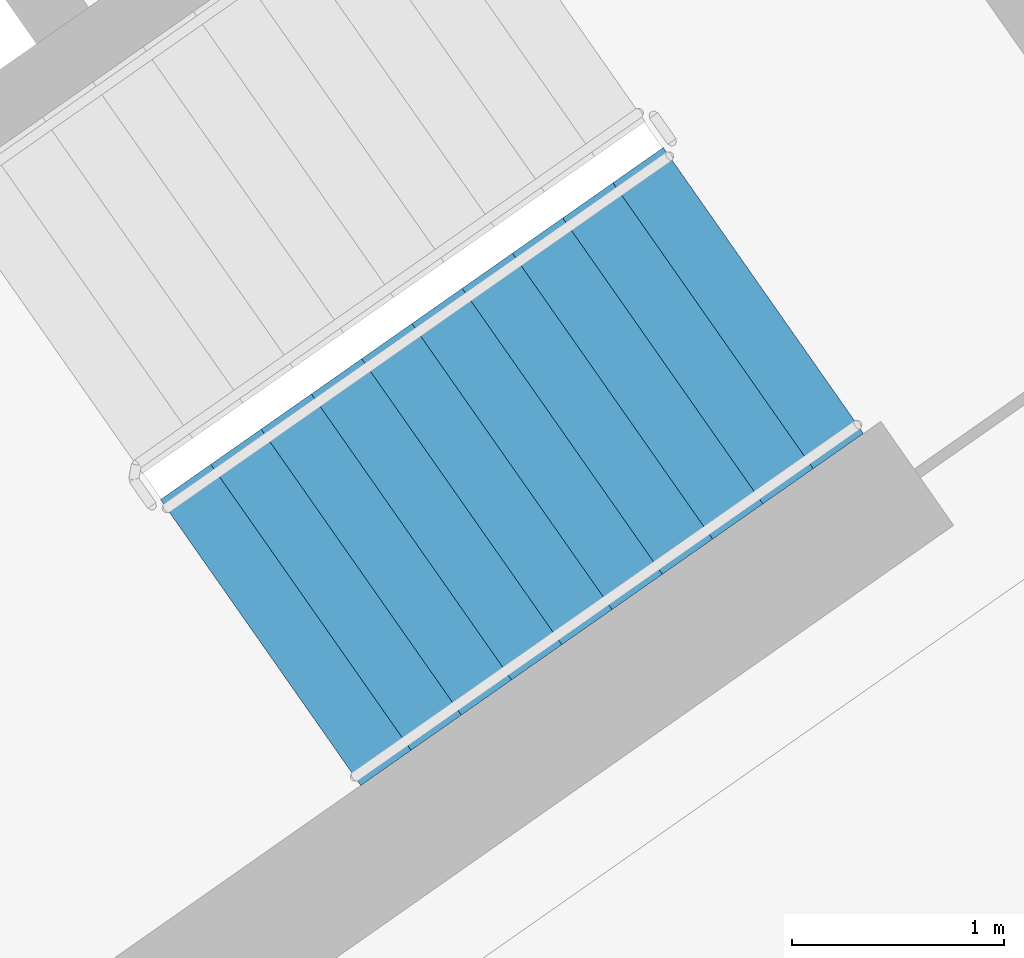
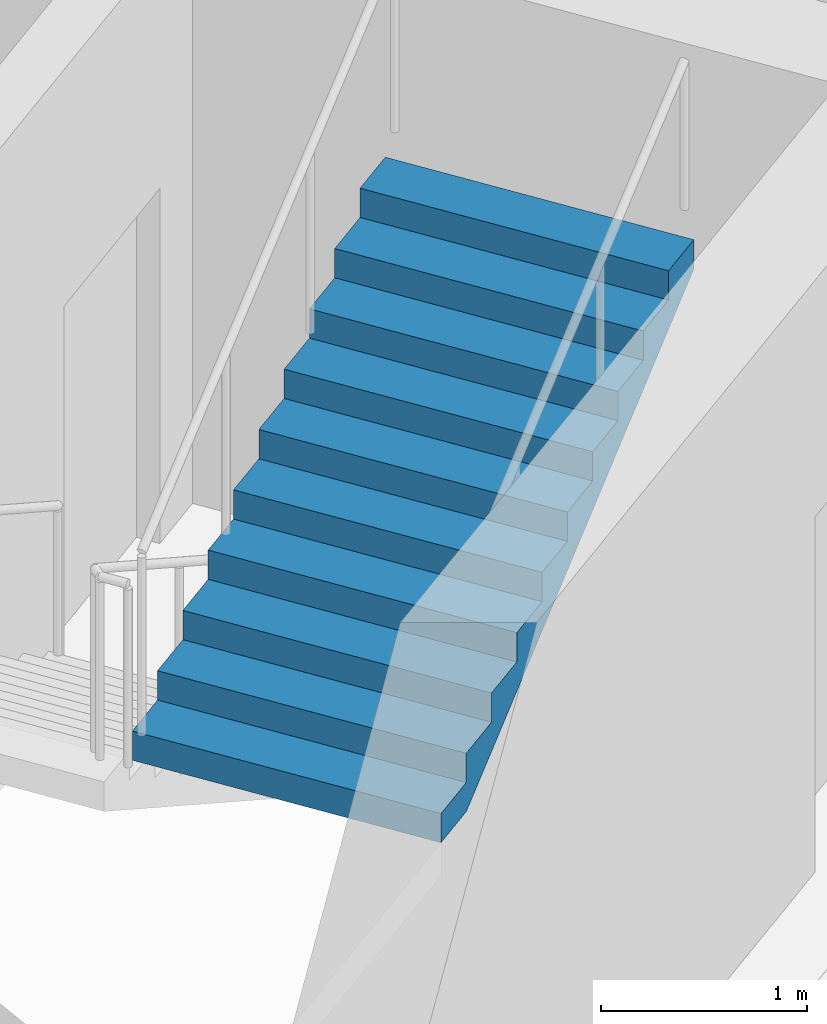
# One storey, part 14 of 26: 1 stair flight, 1 element without a shape of its own.
"""IFC4 building model written with IfcOpenShell, lengths in metres."""

from ifc_helpers import new_model, si_unit, direction, frame, origin, place, context, subcontext, project, spatial, faceted_brep, material, type_object, element, aggregate, save


model = new_model("IFC4")

# Units and contexts
model_context = context("Model", 3, precision=1e-05, world=origin(), true_north=direction((0.0, 1.0)))
body_context = subcontext(model_context, "Body", "Model", "MODEL_VIEW")
ifc_project = project(units=[si_unit("LENGTHUNIT", "METRE"), si_unit("AREAUNIT", "SQUARE_METRE"), si_unit("VOLUMEUNIT", "CUBIC_METRE"), si_unit("PLANEANGLEUNIT", "RADIAN"), si_unit("MASSUNIT", "GRAM", prefix="KILO")], contexts=[model_context])

# Site, building, storey
site_placement = place(None, origin())
site = spatial("IfcSite", under=ifc_project, at=site_placement, CompositionType="ELEMENT")
building_placement = place(site_placement, origin())
building = spatial("IfcBuilding", under=site, at=building_placement, Name="Qamariyya Broadcast Tower", CompositionType="ELEMENT")
storey_placement = place(building_placement, frame((0.0, 0.0, 156.89990234375)))
storey = spatial("IfcBuildingStorey", under=building, at=storey_placement, Name="L36", CompositionType="ELEMENT", Elevation=156.89990234375)

# Stair, stair flight
ifc_material = material(Name="Concrete C50/60", Category="concrete")
stair_type = type_object("IfcStairType", Name="Exit stair 22 risers of 173 mm", PredefinedType="HALF_TURN_STAIR", material=ifc_material)
stair_placement = place(storey_placement, origin())
stair = element("IfcStair", 1, at=stair_placement, inside=storey, type_object=stair_type, Name="L36 Stair E1", PredefinedType="HALF_TURN_STAIR")
stair_flight_type = type_object("IfcStairFlightType", Name="Exit stair flight 11 risers of 173 mm", PredefinedType="STRAIGHT", material=ifc_material)
stair_flight_placement = place(storey_placement, frame((44.693359375, -58.64599609375, 1.900146484375), z_axis=(0.0, 0.0, 1.0), x_axis=(0.819152044289, 0.573576436351, 0.0)))
stair_flight = element("IfcStairFlight", 2, at=stair_flight_placement, type_object=stair_flight_type, Name="ST-E1 flight 2", NumberOfRisers=11, NumberOfTreads=10, PredefinedType="STRAIGHT", RiserHeight=0.172727273, TreadLength=0.29, context=body_context, shape_type="Brep", body=[
    faceted_brep([(0.0, 0.824951171875, 0.0), (0.0, 0.824951171875, 0.172607421875), (0.2900390625, 0.824951171875, 0.172607421875), (0.2900390625, 0.824951171875, 0.345458984375), (0.580078125, 0.824951171875, 0.345458984375), (0.580078125, 0.824951171875, 0.51806640625), (0.8701171875, 0.824951171875, 0.51806640625), (0.8701171875, 0.824951171875, 0.69091796875), (1.159912109375, 0.824951171875, 0.69091796875), (1.159912109375, 0.824951171875, 0.863525390625), (1.449951171875, 0.824951171875, 0.863525390625), (1.449951171875, 0.824951171875, 1.036376953125), (1.739990234375, 0.824951171875, 1.036376953125), (1.739990234375, 0.824951171875, 1.208984375), (2.030029296875, 0.824951171875, 1.208984375), (2.030029296875, 0.824951171875, 1.3818359375), (2.320068359375, 0.824951171875, 1.3818359375), (2.320068359375, 0.824951171875, 1.554443359375), (2.610107421875, 0.824951171875, 1.554443359375), (2.610107421875, 0.824951171875, 1.727294921875), (2.89990234375, 0.824951171875, 1.727294921875), (2.89990234375, 0.824951171875, 1.552734375), (0.29296875, 0.824951171875, 0.0), (0.29296875, -0.824951171875, 0.0), (2.89990234375, -0.824951171875, 1.552734375), (2.89990234375, -0.824951171875, 1.727294921875), (2.610107421875, -0.824951171875, 1.727294921875), (2.610107421875, -0.824951171875, 1.554443359375), (2.320068359375, -0.824951171875, 1.554443359375), (2.320068359375, -0.824951171875, 1.3818359375), (2.030029296875, -0.824951171875, 1.3818359375), (2.030029296875, -0.824951171875, 1.208984375), (1.739990234375, -0.824951171875, 1.208984375), (1.739990234375, -0.824951171875, 1.036376953125), (1.449951171875, -0.824951171875, 1.036376953125), (1.449951171875, -0.824951171875, 0.863525390625), (1.159912109375, -0.824951171875, 0.863525390625), (1.159912109375, -0.824951171875, 0.69091796875), (0.8701171875, -0.824951171875, 0.69091796875), (0.8701171875, -0.824951171875, 0.51806640625), (0.580078125, -0.824951171875, 0.51806640625), (0.580078125, -0.824951171875, 0.345458984375), (0.2900390625, -0.824951171875, 0.345458984375), (0.2900390625, -0.824951171875, 0.172607421875), (0.0, -0.824951171875, 0.172607421875), (0.0, -0.824951171875, 0.0), (0.0, 0.10009765625, 0.0), (0.0, 0.086669921875, 0.0), (0.0, 0.0732421875, 0.0), (0.0, 0.06005859375, 0.0), (0.0, 0.046630859375, 0.0), (0.0, 0.033447265625, 0.0), (0.0, 0.02001953125, 0.0), (0.0, 0.006591796875, 0.0), (0.0, -0.006591796875, 0.0), (0.0, -0.02001953125, 0.0), (0.0, -0.033447265625, 0.0), (0.0, -0.046630859375, 0.0), (0.0, -0.06005859375, 0.0), (0.0, -0.0732421875, 0.0), (0.0, -0.086669921875, 0.0), (0.0, -0.10009765625, 0.0), (0.0, -0.10009765625, 0.172607421875), (0.0, -0.086669921875, 0.172607421875), (0.0, -0.0732421875, 0.172607421875), (0.0, -0.06005859375, 0.172607421875), (0.0, -0.046630859375, 0.172607421875), (0.0, -0.033447265625, 0.172607421875), (0.0, -0.02001953125, 0.172607421875), (0.0, -0.006591796875, 0.172607421875), (0.0, 0.006591796875, 0.172607421875), (0.0, 0.02001953125, 0.172607421875), (0.0, 0.033447265625, 0.172607421875), (0.0, 0.046630859375, 0.172607421875), (0.0, 0.06005859375, 0.172607421875), (0.0, 0.0732421875, 0.172607421875), (0.0, 0.086669921875, 0.172607421875), (0.0, 0.10009765625, 0.172607421875), (0.2900390625, -0.10009765625, 0.172607421875), (0.2900390625, -0.086669921875, 0.172607421875), (0.2900390625, -0.0732421875, 0.172607421875), (0.2900390625, -0.06005859375, 0.172607421875), (0.2900390625, -0.046630859375, 0.172607421875), (0.2900390625, -0.033447265625, 0.172607421875), (0.2900390625, -0.02001953125, 0.172607421875), (0.2900390625, -0.006591796875, 0.172607421875), (0.2900390625, 0.006591796875, 0.172607421875), (0.2900390625, 0.02001953125, 0.172607421875), (0.2900390625, 0.033447265625, 0.172607421875), (0.2900390625, 0.046630859375, 0.172607421875), (0.2900390625, 0.06005859375, 0.172607421875), (0.2900390625, 0.0732421875, 0.172607421875), (0.2900390625, 0.086669921875, 0.172607421875), (0.2900390625, 0.10009765625, 0.172607421875), (0.2900390625, -0.10009765625, 0.345458984375), (0.2900390625, -0.086669921875, 0.345458984375), (0.2900390625, -0.0732421875, 0.345458984375), (0.2900390625, -0.06005859375, 0.345458984375), (0.2900390625, -0.046630859375, 0.345458984375), (0.2900390625, -0.033447265625, 0.345458984375), (0.2900390625, -0.02001953125, 0.345458984375), (0.2900390625, -0.006591796875, 0.345458984375), (0.2900390625, 0.006591796875, 0.345458984375), (0.2900390625, 0.02001953125, 0.345458984375), (0.2900390625, 0.033447265625, 0.345458984375), (0.2900390625, 0.046630859375, 0.345458984375), (0.2900390625, 0.06005859375, 0.345458984375), (0.2900390625, 0.0732421875, 0.345458984375), (0.2900390625, 0.086669921875, 0.345458984375), (0.2900390625, 0.10009765625, 0.345458984375), (0.580078125, -0.10009765625, 0.345458984375), (0.580078125, -0.086669921875, 0.345458984375), (0.580078125, -0.0732421875, 0.345458984375), (0.580078125, -0.06005859375, 0.345458984375), (0.580078125, -0.046630859375, 0.345458984375), (0.580078125, -0.033447265625, 0.345458984375), (0.580078125, -0.02001953125, 0.345458984375), (0.580078125, -0.006591796875, 0.345458984375), (0.580078125, 0.006591796875, 0.345458984375), (0.580078125, 0.02001953125, 0.345458984375), (0.580078125, 0.033447265625, 0.345458984375), (0.580078125, 0.046630859375, 0.345458984375), (0.580078125, 0.06005859375, 0.345458984375), (0.580078125, 0.0732421875, 0.345458984375), (0.580078125, 0.086669921875, 0.345458984375), (0.580078125, 0.10009765625, 0.345458984375), (0.580078125, -0.10009765625, 0.51806640625), (0.580078125, -0.086669921875, 0.51806640625), (0.580078125, -0.0732421875, 0.51806640625), (0.580078125, -0.06005859375, 0.51806640625), (0.580078125, -0.046630859375, 0.51806640625), (0.580078125, -0.033447265625, 0.51806640625), (0.580078125, -0.02001953125, 0.51806640625), (0.580078125, -0.006591796875, 0.51806640625), (0.580078125, 0.006591796875, 0.51806640625), (0.580078125, 0.02001953125, 0.51806640625), (0.580078125, 0.033447265625, 0.51806640625), (0.580078125, 0.046630859375, 0.51806640625), (0.580078125, 0.06005859375, 0.51806640625), (0.580078125, 0.0732421875, 0.51806640625), (0.580078125, 0.086669921875, 0.51806640625), (0.580078125, 0.10009765625, 0.51806640625), (0.8701171875, -0.10009765625, 0.51806640625), (0.8701171875, -0.086669921875, 0.51806640625), (0.8701171875, -0.0732421875, 0.51806640625), (0.8701171875, -0.06005859375, 0.51806640625), (0.8701171875, -0.046630859375, 0.51806640625), (0.8701171875, -0.033447265625, 0.51806640625), (0.8701171875, -0.02001953125, 0.51806640625), (0.8701171875, -0.006591796875, 0.51806640625), (0.8701171875, 0.006591796875, 0.51806640625), (0.8701171875, 0.02001953125, 0.51806640625), (0.8701171875, 0.033447265625, 0.51806640625), (0.8701171875, 0.046630859375, 0.51806640625), (0.8701171875, 0.06005859375, 0.51806640625), (0.8701171875, 0.0732421875, 0.51806640625), (0.8701171875, 0.086669921875, 0.51806640625), (0.8701171875, 0.10009765625, 0.51806640625), (0.8701171875, -0.10009765625, 0.69091796875), (0.8701171875, -0.086669921875, 0.69091796875), (0.8701171875, -0.0732421875, 0.69091796875), (0.8701171875, -0.06005859375, 0.69091796875), (0.8701171875, -0.046630859375, 0.69091796875), (0.8701171875, -0.033447265625, 0.69091796875), (0.8701171875, -0.02001953125, 0.69091796875), (0.8701171875, -0.006591796875, 0.69091796875), (0.8701171875, 0.006591796875, 0.69091796875), (0.8701171875, 0.02001953125, 0.69091796875), (0.8701171875, 0.033447265625, 0.69091796875), (0.8701171875, 0.046630859375, 0.69091796875), (0.8701171875, 0.06005859375, 0.69091796875), (0.8701171875, 0.0732421875, 0.69091796875), (0.8701171875, 0.086669921875, 0.69091796875), (0.8701171875, 0.10009765625, 0.69091796875), (1.159912109375, -0.10009765625, 0.69091796875), (1.159912109375, -0.086669921875, 0.69091796875), (1.159912109375, -0.0732421875, 0.69091796875), (1.159912109375, -0.06005859375, 0.69091796875), (1.159912109375, -0.046630859375, 0.69091796875), (1.159912109375, -0.033447265625, 0.69091796875), (1.159912109375, -0.02001953125, 0.69091796875), (1.159912109375, -0.006591796875, 0.69091796875), (1.159912109375, 0.006591796875, 0.69091796875), (1.159912109375, 0.02001953125, 0.69091796875), (1.159912109375, 0.033447265625, 0.69091796875), (1.159912109375, 0.046630859375, 0.69091796875), (1.159912109375, 0.06005859375, 0.69091796875), (1.159912109375, 0.0732421875, 0.69091796875), (1.159912109375, 0.086669921875, 0.69091796875), (1.159912109375, 0.10009765625, 0.69091796875), (1.159912109375, -0.10009765625, 0.863525390625), (1.159912109375, -0.086669921875, 0.863525390625), (1.159912109375, -0.0732421875, 0.863525390625), (1.159912109375, -0.06005859375, 0.863525390625), (1.159912109375, -0.046630859375, 0.863525390625), (1.159912109375, -0.033447265625, 0.863525390625), (1.159912109375, -0.02001953125, 0.863525390625), (1.159912109375, -0.006591796875, 0.863525390625), (1.159912109375, 0.006591796875, 0.863525390625), (1.159912109375, 0.02001953125, 0.863525390625), (1.159912109375, 0.033447265625, 0.863525390625), (1.159912109375, 0.046630859375, 0.863525390625), (1.159912109375, 0.06005859375, 0.863525390625), (1.159912109375, 0.0732421875, 0.863525390625), (1.159912109375, 0.086669921875, 0.863525390625), (1.159912109375, 0.10009765625, 0.863525390625), (1.449951171875, -0.10009765625, 0.863525390625), (1.449951171875, -0.086669921875, 0.863525390625), (1.449951171875, -0.0732421875, 0.863525390625), (1.449951171875, -0.06005859375, 0.863525390625), (1.449951171875, -0.046630859375, 0.863525390625), (1.449951171875, -0.033447265625, 0.863525390625), (1.449951171875, -0.02001953125, 0.863525390625), (1.449951171875, -0.006591796875, 0.863525390625), (1.449951171875, 0.006591796875, 0.863525390625), (1.449951171875, 0.02001953125, 0.863525390625), (1.449951171875, 0.033447265625, 0.863525390625), (1.449951171875, 0.046630859375, 0.863525390625), (1.449951171875, 0.06005859375, 0.863525390625), (1.449951171875, 0.0732421875, 0.863525390625), (1.449951171875, 0.086669921875, 0.863525390625), (1.449951171875, 0.10009765625, 0.863525390625), (1.449951171875, -0.10009765625, 1.036376953125), (1.449951171875, -0.086669921875, 1.036376953125), (1.449951171875, -0.0732421875, 1.036376953125), (1.449951171875, -0.06005859375, 1.036376953125), (1.449951171875, -0.046630859375, 1.036376953125), (1.449951171875, -0.033447265625, 1.036376953125), (1.449951171875, -0.02001953125, 1.036376953125), (1.449951171875, -0.006591796875, 1.036376953125), (1.449951171875, 0.006591796875, 1.036376953125), (1.449951171875, 0.02001953125, 1.036376953125), (1.449951171875, 0.033447265625, 1.036376953125), (1.449951171875, 0.046630859375, 1.036376953125), (1.449951171875, 0.06005859375, 1.036376953125), (1.449951171875, 0.0732421875, 1.036376953125), (1.449951171875, 0.086669921875, 1.036376953125), (1.449951171875, 0.10009765625, 1.036376953125), (1.739990234375, -0.10009765625, 1.036376953125), (1.739990234375, -0.086669921875, 1.036376953125), (1.739990234375, -0.0732421875, 1.036376953125), (1.739990234375, -0.06005859375, 1.036376953125), (1.739990234375, -0.046630859375, 1.036376953125), (1.739990234375, -0.033447265625, 1.036376953125), (1.739990234375, -0.02001953125, 1.036376953125), (1.739990234375, -0.006591796875, 1.036376953125), (1.739990234375, 0.006591796875, 1.036376953125), (1.739990234375, 0.02001953125, 1.036376953125), (1.739990234375, 0.033447265625, 1.036376953125), (1.739990234375, 0.046630859375, 1.036376953125), (1.739990234375, 0.06005859375, 1.036376953125), (1.739990234375, 0.0732421875, 1.036376953125), (1.739990234375, 0.086669921875, 1.036376953125), (1.739990234375, 0.10009765625, 1.036376953125), (1.739990234375, -0.10009765625, 1.208984375), (1.739990234375, -0.086669921875, 1.208984375), (1.739990234375, -0.0732421875, 1.208984375), (1.739990234375, -0.06005859375, 1.208984375), (1.739990234375, -0.046630859375, 1.208984375), (1.739990234375, -0.033447265625, 1.208984375), (1.739990234375, -0.02001953125, 1.208984375), (1.739990234375, -0.006591796875, 1.208984375), (1.739990234375, 0.006591796875, 1.208984375), (1.739990234375, 0.02001953125, 1.208984375), (1.739990234375, 0.033447265625, 1.208984375), (1.739990234375, 0.046630859375, 1.208984375), (1.739990234375, 0.06005859375, 1.208984375), (1.739990234375, 0.0732421875, 1.208984375), (1.739990234375, 0.086669921875, 1.208984375), (1.739990234375, 0.10009765625, 1.208984375), (2.030029296875, -0.10009765625, 1.208984375), (2.030029296875, -0.086669921875, 1.208984375), (2.030029296875, -0.0732421875, 1.208984375), (2.030029296875, -0.06005859375, 1.208984375), (2.030029296875, -0.046630859375, 1.208984375), (2.030029296875, -0.033447265625, 1.208984375), (2.030029296875, -0.02001953125, 1.208984375), (2.030029296875, -0.006591796875, 1.208984375), (2.030029296875, 0.006591796875, 1.208984375), (2.030029296875, 0.02001953125, 1.208984375), (2.030029296875, 0.033447265625, 1.208984375), (2.030029296875, 0.046630859375, 1.208984375), (2.030029296875, 0.06005859375, 1.208984375), (2.030029296875, 0.0732421875, 1.208984375), (2.030029296875, 0.086669921875, 1.208984375), (2.030029296875, 0.10009765625, 1.208984375), (2.030029296875, -0.10009765625, 1.3818359375), (2.030029296875, -0.086669921875, 1.3818359375), (2.030029296875, -0.0732421875, 1.3818359375), (2.030029296875, -0.06005859375, 1.3818359375), (2.030029296875, -0.046630859375, 1.3818359375), (2.030029296875, -0.033447265625, 1.3818359375), (2.030029296875, -0.02001953125, 1.3818359375), (2.030029296875, -0.006591796875, 1.3818359375), (2.030029296875, 0.006591796875, 1.3818359375), (2.030029296875, 0.02001953125, 1.3818359375), (2.030029296875, 0.033447265625, 1.3818359375), (2.030029296875, 0.046630859375, 1.3818359375), (2.030029296875, 0.06005859375, 1.3818359375), (2.030029296875, 0.0732421875, 1.3818359375), (2.030029296875, 0.086669921875, 1.3818359375), (2.030029296875, 0.10009765625, 1.3818359375), (2.320068359375, -0.10009765625, 1.3818359375), (2.320068359375, -0.086669921875, 1.3818359375), (2.320068359375, -0.0732421875, 1.3818359375), (2.320068359375, -0.06005859375, 1.3818359375), (2.320068359375, -0.046630859375, 1.3818359375), (2.320068359375, -0.033447265625, 1.3818359375), (2.320068359375, -0.02001953125, 1.3818359375), (2.320068359375, -0.006591796875, 1.3818359375), (2.320068359375, 0.006591796875, 1.3818359375), (2.320068359375, 0.02001953125, 1.3818359375), (2.320068359375, 0.033447265625, 1.3818359375), (2.320068359375, 0.046630859375, 1.3818359375), (2.320068359375, 0.06005859375, 1.3818359375), (2.320068359375, 0.0732421875, 1.3818359375), (2.320068359375, 0.086669921875, 1.3818359375), (2.320068359375, 0.10009765625, 1.3818359375), (2.320068359375, -0.10009765625, 1.554443359375), (2.320068359375, -0.086669921875, 1.554443359375), (2.320068359375, -0.0732421875, 1.554443359375), (2.320068359375, -0.06005859375, 1.554443359375), (2.320068359375, -0.046630859375, 1.554443359375), (2.320068359375, -0.033447265625, 1.554443359375), (2.320068359375, -0.02001953125, 1.554443359375), (2.320068359375, -0.006591796875, 1.554443359375), (2.320068359375, 0.006591796875, 1.554443359375), (2.320068359375, 0.02001953125, 1.554443359375), (2.320068359375, 0.033447265625, 1.554443359375), (2.320068359375, 0.046630859375, 1.554443359375), (2.320068359375, 0.06005859375, 1.554443359375), (2.320068359375, 0.0732421875, 1.554443359375), (2.320068359375, 0.086669921875, 1.554443359375), (2.320068359375, 0.10009765625, 1.554443359375), (2.610107421875, -0.10009765625, 1.554443359375), (2.610107421875, -0.086669921875, 1.554443359375), (2.610107421875, -0.0732421875, 1.554443359375), (2.610107421875, -0.06005859375, 1.554443359375), (2.610107421875, -0.046630859375, 1.554443359375), (2.610107421875, -0.033447265625, 1.554443359375), (2.610107421875, -0.02001953125, 1.554443359375), (2.610107421875, -0.006591796875, 1.554443359375), (2.610107421875, 0.006591796875, 1.554443359375), (2.610107421875, 0.02001953125, 1.554443359375), (2.610107421875, 0.033447265625, 1.554443359375), (2.610107421875, 0.046630859375, 1.554443359375), (2.610107421875, 0.06005859375, 1.554443359375), (2.610107421875, 0.0732421875, 1.554443359375), (2.610107421875, 0.086669921875, 1.554443359375), (2.610107421875, 0.10009765625, 1.554443359375), (2.610107421875, -0.10009765625, 1.727294921875), (2.610107421875, -0.086669921875, 1.727294921875), (2.610107421875, -0.0732421875, 1.727294921875), (2.610107421875, -0.06005859375, 1.727294921875), (2.610107421875, -0.046630859375, 1.727294921875), (2.610107421875, -0.033447265625, 1.727294921875), (2.610107421875, -0.02001953125, 1.727294921875), (2.610107421875, -0.006591796875, 1.727294921875), (2.610107421875, 0.006591796875, 1.727294921875), (2.610107421875, 0.02001953125, 1.727294921875), (2.610107421875, 0.033447265625, 1.727294921875), (2.610107421875, 0.046630859375, 1.727294921875), (2.610107421875, 0.06005859375, 1.727294921875), (2.610107421875, 0.0732421875, 1.727294921875), (2.610107421875, 0.086669921875, 1.727294921875), (2.610107421875, 0.10009765625, 1.727294921875), (2.89990234375, -0.10009765625, 1.727294921875), (2.89990234375, -0.086669921875, 1.727294921875), (2.89990234375, -0.0732421875, 1.727294921875), (2.89990234375, -0.06005859375, 1.727294921875), (2.89990234375, -0.046630859375, 1.727294921875), (2.89990234375, -0.033447265625, 1.727294921875), (2.89990234375, -0.02001953125, 1.727294921875), (2.89990234375, -0.006591796875, 1.727294921875), (2.89990234375, 0.006591796875, 1.727294921875), (2.89990234375, 0.02001953125, 1.727294921875), (2.89990234375, 0.033447265625, 1.727294921875), (2.89990234375, 0.046630859375, 1.727294921875), (2.89990234375, 0.06005859375, 1.727294921875), (2.89990234375, 0.0732421875, 1.727294921875), (2.89990234375, 0.086669921875, 1.727294921875), (2.89990234375, 0.10009765625, 1.727294921875), (2.89990234375, -0.10009765625, 1.552734375), (2.89990234375, -0.086669921875, 1.552734375), (2.89990234375, -0.0732421875, 1.552734375), (2.89990234375, -0.06005859375, 1.552734375), (2.89990234375, -0.046630859375, 1.552734375), (2.89990234375, -0.033447265625, 1.552734375), (2.89990234375, -0.02001953125, 1.552734375), (2.89990234375, -0.006591796875, 1.552734375), (2.89990234375, 0.006591796875, 1.552734375), (2.89990234375, 0.02001953125, 1.552734375), (2.89990234375, 0.033447265625, 1.552734375), (2.89990234375, 0.046630859375, 1.552734375), (2.89990234375, 0.06005859375, 1.552734375), (2.89990234375, 0.0732421875, 1.552734375), (2.89990234375, 0.086669921875, 1.552734375), (2.89990234375, 0.10009765625, 1.552734375), (0.29296875, -0.10009765625, 0.0), (0.29296875, -0.086669921875, 0.0), (0.29296875, -0.0732421875, 0.0), (0.29296875, -0.06005859375, 0.0), (0.29296875, -0.046630859375, 0.0), (0.29296875, -0.033447265625, 0.0), (0.29296875, -0.02001953125, 0.0), (0.29296875, -0.006591796875, 0.0), (0.29296875, 0.006591796875, 0.0), (0.29296875, 0.02001953125, 0.0), (0.29296875, 0.033447265625, 0.0), (0.29296875, 0.046630859375, 0.0), (0.29296875, 0.06005859375, 0.0), (0.29296875, 0.0732421875, 0.0), (0.29296875, 0.086669921875, 0.0), (0.29296875, 0.10009765625, 0.0)], [[[0, 1, 2, 3, 4, 5, 6, 7, 8, 9, 10, 11, 12, 13, 14, 15, 16, 17, 18, 19, 20, 21, 22]], [[23, 24, 25, 26, 27, 28, 29, 30, 31, 32, 33, 34, 35, 36, 37, 38, 39, 40, 41, 42, 43, 44, 45]], [[0, 46, 47, 48, 49, 50, 51, 52, 53, 54, 55, 56, 57, 58, 59, 60, 61, 45, 44, 62, 63, 64, 65, 66, 67, 68, 69, 70, 71, 72, 73, 74, 75, 76, 77, 1]], [[1, 77, 76, 75, 74, 73, 72, 71, 70, 69, 68, 67, 66, 65, 64, 63, 62, 44, 43, 78, 79, 80, 81, 82, 83, 84, 85, 86, 87, 88, 89, 90, 91, 92, 93, 2]], [[2, 93, 92, 91, 90, 89, 88, 87, 86, 85, 84, 83, 82, 81, 80, 79, 78, 43, 42, 94, 95, 96, 97, 98, 99, 100, 101, 102, 103, 104, 105, 106, 107, 108, 109, 3]], [[3, 109, 108, 107, 106, 105, 104, 103, 102, 101, 100, 99, 98, 97, 96, 95, 94, 42, 41, 110, 111, 112, 113, 114, 115, 116, 117, 118, 119, 120, 121, 122, 123, 124, 125, 4]], [[4, 125, 124, 123, 122, 121, 120, 119, 118, 117, 116, 115, 114, 113, 112, 111, 110, 41, 40, 126, 127, 128, 129, 130, 131, 132, 133, 134, 135, 136, 137, 138, 139, 140, 141, 5]], [[5, 141, 140, 139, 138, 137, 136, 135, 134, 133, 132, 131, 130, 129, 128, 127, 126, 40, 39, 142, 143, 144, 145, 146, 147, 148, 149, 150, 151, 152, 153, 154, 155, 156, 157, 6]], [[6, 157, 156, 155, 154, 153, 152, 151, 150, 149, 148, 147, 146, 145, 144, 143, 142, 39, 38, 158, 159, 160, 161, 162, 163, 164, 165, 166, 167, 168, 169, 170, 171, 172, 173, 7]], [[7, 173, 172, 171, 170, 169, 168, 167, 166, 165, 164, 163, 162, 161, 160, 159, 158, 38, 37, 174, 175, 176, 177, 178, 179, 180, 181, 182, 183, 184, 185, 186, 187, 188, 189, 8]], [[8, 189, 188, 187, 186, 185, 184, 183, 182, 181, 180, 179, 178, 177, 176, 175, 174, 37, 36, 190, 191, 192, 193, 194, 195, 196, 197, 198, 199, 200, 201, 202, 203, 204, 205, 9]], [[9, 205, 204, 203, 202, 201, 200, 199, 198, 197, 196, 195, 194, 193, 192, 191, 190, 36, 35, 206, 207, 208, 209, 210, 211, 212, 213, 214, 215, 216, 217, 218, 219, 220, 221, 10]], [[10, 221, 220, 219, 218, 217, 216, 215, 214, 213, 212, 211, 210, 209, 208, 207, 206, 35, 34, 222, 223, 224, 225, 226, 227, 228, 229, 230, 231, 232, 233, 234, 235, 236, 237, 11]], [[11, 237, 236, 235, 234, 233, 232, 231, 230, 229, 228, 227, 226, 225, 224, 223, 222, 34, 33, 238, 239, 240, 241, 242, 243, 244, 245, 246, 247, 248, 249, 250, 251, 252, 253, 12]], [[12, 253, 252, 251, 250, 249, 248, 247, 246, 245, 244, 243, 242, 241, 240, 239, 238, 33, 32, 254, 255, 256, 257, 258, 259, 260, 261, 262, 263, 264, 265, 266, 267, 268, 269, 13]], [[13, 269, 268, 267, 266, 265, 264, 263, 262, 261, 260, 259, 258, 257, 256, 255, 254, 32, 31, 270, 271, 272, 273, 274, 275, 276, 277, 278, 279, 280, 281, 282, 283, 284, 285, 14]], [[14, 285, 284, 283, 282, 281, 280, 279, 278, 277, 276, 275, 274, 273, 272, 271, 270, 31, 30, 286, 287, 288, 289, 290, 291, 292, 293, 294, 295, 296, 297, 298, 299, 300, 301, 15]], [[15, 301, 300, 299, 298, 297, 296, 295, 294, 293, 292, 291, 290, 289, 288, 287, 286, 30, 29, 302, 303, 304, 305, 306, 307, 308, 309, 310, 311, 312, 313, 314, 315, 316, 317, 16]], [[16, 317, 316, 315, 314, 313, 312, 311, 310, 309, 308, 307, 306, 305, 304, 303, 302, 29, 28, 318, 319, 320, 321, 322, 323, 324, 325, 326, 327, 328, 329, 330, 331, 332, 333, 17]], [[17, 333, 332, 331, 330, 329, 328, 327, 326, 325, 324, 323, 322, 321, 320, 319, 318, 28, 27, 334, 335, 336, 337, 338, 339, 340, 341, 342, 343, 344, 345, 346, 347, 348, 349, 18]], [[18, 349, 348, 347, 346, 345, 344, 343, 342, 341, 340, 339, 338, 337, 336, 335, 334, 27, 26, 350, 351, 352, 353, 354, 355, 356, 357, 358, 359, 360, 361, 362, 363, 364, 365, 19]], [[19, 365, 364, 363, 362, 361, 360, 359, 358, 357, 356, 355, 354, 353, 352, 351, 350, 26, 25, 366, 367, 368, 369, 370, 371, 372, 373, 374, 375, 376, 377, 378, 379, 380, 381, 20]], [[20, 381, 380, 379, 378, 377, 376, 375, 374, 373, 372, 371, 370, 369, 368, 367, 366, 25, 24, 382, 383, 384, 385, 386, 387, 388, 389, 390, 391, 392, 393, 394, 395, 396, 397, 21]], [[21, 397, 396, 395, 394, 393, 392, 391, 390, 389, 388, 387, 386, 385, 384, 383, 382, 24, 23, 398, 399, 400, 401, 402, 403, 404, 405, 406, 407, 408, 409, 410, 411, 412, 413, 22]], [[22, 413, 412, 411, 410, 409, 408, 407, 406, 405, 404, 403, 402, 401, 400, 399, 398, 23, 45, 61, 60, 59, 58, 57, 56, 55, 54, 53, 52, 51, 50, 49, 48, 47, 46, 0]]]),
])
aggregate(stair, [stair_flight])

save(model, "model.ifc")
